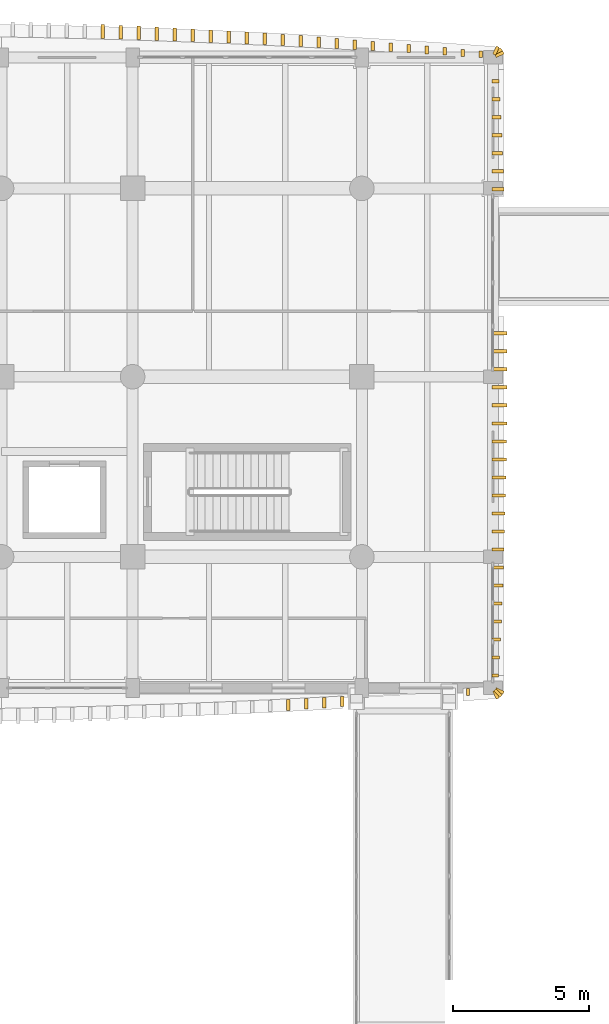
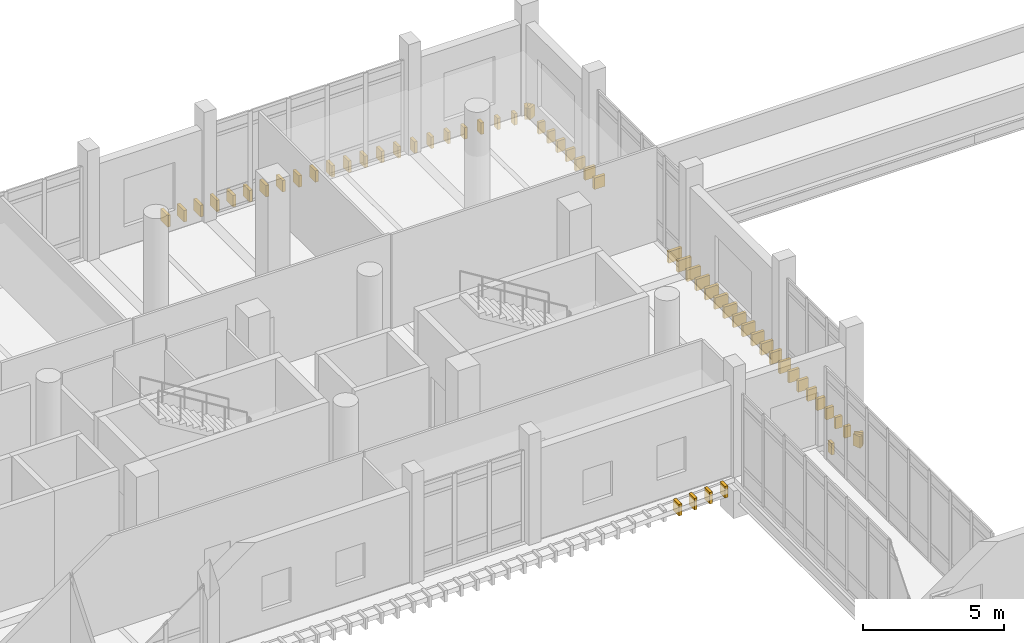
# One storey, part 97 of 101: 60 coverings.
"""IFC4 building model written with IfcOpenShell, lengths in metres."""

from ifc_helpers import new_model, si_unit, direction, frame, origin, origin_2d, place, context, subcontext, project, spatial, rectangle, extrude, material, layer, layer_set, type_object, element, save


model = new_model("IFC4")

# Units and contexts
model_context = context("Model", 3, precision=1e-05, world=origin(), true_north=direction((0.0, 1.0)))
body_context = subcontext(model_context, "Body", "Model", "MODEL_VIEW")
ifc_project = project(units=[si_unit("LENGTHUNIT", "METRE"), si_unit("AREAUNIT", "SQUARE_METRE"), si_unit("VOLUMEUNIT", "CUBIC_METRE"), si_unit("PLANEANGLEUNIT", "RADIAN"), si_unit("MASSUNIT", "GRAM", prefix="KILO")], contexts=[model_context])

# Site, building, storey
site_placement = place(None, origin())
site = spatial("IfcSite", under=ifc_project, at=site_placement, CompositionType="ELEMENT")
building_placement = place(site_placement, origin())
building = spatial("IfcBuilding", under=site, at=building_placement, Name="Dornvale Research Institute", CompositionType="ELEMENT")
storey_placement = place(building_placement, frame((0.0, 0.0, 10.199951171875)))
storey = spatial("IfcBuildingStorey", under=building, at=storey_placement, Name="L02", CompositionType="ELEMENT", Elevation=10.199951171875)

# Coverings
ifc_material = material(Name="Polychrome Glazed Terracotta Visor Rib Ceramic", Category="masonry")
ifc_layer = layer(ifc_material, 0.1201171875)
ifc_layer_set = layer_set([ifc_layer], Name="Polychrome Glazed Terracotta Visor Rib Ceramic")
covering_type = type_object("IfcCoveringType", Name="Covering_VisorBlade_Main", PredefinedType="CLADDING", material=ifc_layer_set)
covering_1_placement = place(storey_placement, frame((38.70263671875, 98.37646484375, -0.489990234375), z_axis=(0.0, 0.0, 1.0), x_axis=(0.0, 1.0, 0.0)))
element("IfcCovering", 1, at=covering_1_placement, inside=storey, type_object=covering_type, Name="L02 V5 canted glazed terracotta visor blade #264", PredefinedType="CLADDING", context=body_context, shape_type="SweptSolid", body=[
    extrude(rectangle(XDim=0.405029296875, YDim=0.1201171875, at=origin_2d()), origin(), (0.0, 0.0, 1.0), 0.5),
])
covering_2_placement = place(storey_placement, frame((39.36181640625, 98.415771484375, -0.489990234375), z_axis=(0.0, 0.0, 1.0), x_axis=(0.0, 1.0, 0.0)))
element("IfcCovering", 2, at=covering_2_placement, inside=storey, type_object=covering_type, Name="L02 V5 canted glazed terracotta visor blade #265", PredefinedType="CLADDING", context=body_context, shape_type="SweptSolid", body=[
    extrude(rectangle(XDim=0.39208984375, YDim=0.1201171875, at=origin_2d()), origin(), (0.0, 0.0, 1.0), 0.5),
])
covering_3_placement = place(storey_placement, frame((40.02099609375, 98.4580078125, -0.489990234375), z_axis=(0.0, 0.0, 1.0), x_axis=(0.0, 1.0, 0.0)))
element("IfcCovering", 3, at=covering_3_placement, inside=storey, type_object=covering_type, Name="L02 V5 canted glazed terracotta visor blade #266", PredefinedType="CLADDING", context=body_context, shape_type="SweptSolid", body=[
    extrude(rectangle(XDim=0.3779296875, YDim=0.1201171875, at=origin_2d()), origin(), (0.0, 0.0, 1.0), 0.5),
])
covering_4_placement = place(storey_placement, frame((40.679931640625, 98.501708984375, -0.489990234375), z_axis=(0.0, 0.0, 1.0), x_axis=(0.0, 1.0, 0.0)))
element("IfcCovering", 4, at=covering_4_placement, inside=storey, type_object=covering_type, Name="L02 V5 canted glazed terracotta visor blade #267", PredefinedType="CLADDING", context=body_context, shape_type="SweptSolid", body=[
    extrude(rectangle(XDim=0.363037109375, YDim=0.1201171875, at=origin_2d()), origin(), (0.0, 0.0, 1.0), 0.5),
])
covering_5_placement = place(storey_placement, frame((45.290771484375, 98.8525390625, -0.489990234375), z_axis=(0.0, 0.0, 1.0), x_axis=(0.0, 1.0, 0.0)))
element("IfcCovering", 5, at=covering_5_placement, inside=storey, type_object=covering_type, Name="L02 V5 canted glazed terracotta visor blade #268", PredefinedType="CLADDING", context=body_context, shape_type="SweptSolid", body=[
    extrude(rectangle(XDim=0.24609375, YDim=0.1201171875, at=origin_2d()), origin(), (0.0, 0.0, 1.0), 0.5),
])
covering_6_placement = place(storey_placement, frame((45.751220703125, 122.20849609375, -0.489990234375), z_axis=(0.0, 0.0, 1.0), x_axis=(0.0, 1.0, 0.0)))
element("IfcCovering", 6, at=covering_6_placement, inside=storey, type_object=covering_type, Name="L02 V5 canted glazed terracotta visor blade #269", PredefinedType="CLADDING", context=body_context, shape_type="SweptSolid", body=[
    extrude(rectangle(XDim=0.23291015625, YDim=0.1201171875, at=origin_2d()), origin(), (0.0, 0.0, 1.0), 0.5),
])
covering_7_placement = place(storey_placement, frame((45.0927734375, 122.2646484375, -0.489990234375), z_axis=(0.0, 0.0, 1.0), x_axis=(0.0, 1.0, 0.0)))
element("IfcCovering", 7, at=covering_7_placement, inside=storey, type_object=covering_type, Name="L02 V5 canted glazed terracotta visor blade #270", PredefinedType="CLADDING", context=body_context, shape_type="SweptSolid", body=[
    extrude(rectangle(XDim=0.251953125, YDim=0.1201171875, at=origin_2d()), origin(), (0.0, 0.0, 1.0), 0.5),
])
covering_8_placement = place(storey_placement, frame((44.434326171875, 122.319580078125, -0.489990234375), z_axis=(0.0, 0.0, 1.0), x_axis=(0.0, 1.0, 0.0)))
element("IfcCovering", 8, at=covering_8_placement, inside=storey, type_object=covering_type, Name="L02 V5 canted glazed terracotta visor blade #271", PredefinedType="CLADDING", context=body_context, shape_type="SweptSolid", body=[
    extrude(rectangle(XDim=0.27001953125, YDim=0.1201171875, at=origin_2d()), origin(), (0.0, 0.0, 1.0), 0.5),
])
covering_9_placement = place(storey_placement, frame((43.77587890625, 122.3720703125, -0.489990234375), z_axis=(0.0, 0.0, 1.0), x_axis=(0.0, 1.0, 0.0)))
element("IfcCovering", 9, at=covering_9_placement, inside=storey, type_object=covering_type, Name="L02 V5 canted glazed terracotta visor blade #272", PredefinedType="CLADDING", context=body_context, shape_type="SweptSolid", body=[
    extrude(rectangle(XDim=0.2880859375, YDim=0.1201171875, at=origin_2d()), origin(), (0.0, 0.0, 1.0), 0.5),
])
covering_10_placement = place(storey_placement, frame((43.1171875, 122.423583984375, -0.489990234375), z_axis=(0.0, 0.0, 1.0), x_axis=(0.0, 1.0, 0.0)))
element("IfcCovering", 10, at=covering_10_placement, inside=storey, type_object=covering_type, Name="L02 V5 canted glazed terracotta visor blade #273", PredefinedType="CLADDING", context=body_context, shape_type="SweptSolid", body=[
    extrude(rectangle(XDim=0.304931640625, YDim=0.1201171875, at=origin_2d()), origin(), (0.0, 0.0, 1.0), 0.5),
])
covering_11_placement = place(storey_placement, frame((42.45849609375, 122.47265625, -0.489990234375), z_axis=(0.0, 0.0, 1.0), x_axis=(0.0, 1.0, 0.0)))
element("IfcCovering", 11, at=covering_11_placement, inside=storey, type_object=covering_type, Name="L02 V5 canted glazed terracotta visor blade #274", PredefinedType="CLADDING", context=body_context, shape_type="SweptSolid", body=[
    extrude(rectangle(XDim=0.321044921875, YDim=0.1201171875, at=origin_2d()), origin(), (0.0, 0.0, 1.0), 0.5),
])
covering_12_placement = place(storey_placement, frame((41.7998046875, 122.5205078125, -0.489990234375), z_axis=(0.0, 0.0, 1.0), x_axis=(0.0, 1.0, 0.0)))
element("IfcCovering", 12, at=covering_12_placement, inside=storey, type_object=covering_type, Name="L02 V5 canted glazed terracotta visor blade #275", PredefinedType="CLADDING", context=body_context, shape_type="SweptSolid", body=[
    extrude(rectangle(XDim=0.3369140625, YDim=0.1201171875, at=origin_2d()), origin(), (0.0, 0.0, 1.0), 0.5),
])
covering_13_placement = place(storey_placement, frame((41.140869140625, 122.56787109375, -0.489990234375), z_axis=(0.0, 0.0, 1.0), x_axis=(0.0, 1.0, 0.0)))
element("IfcCovering", 13, at=covering_13_placement, inside=storey, type_object=covering_type, Name="L02 V5 canted glazed terracotta visor blade #276", PredefinedType="CLADDING", context=body_context, shape_type="SweptSolid", body=[
    extrude(rectangle(XDim=0.35302734375, YDim=0.1201171875, at=origin_2d()), origin(), (0.0, 0.0, 1.0), 0.5),
])
covering_14_placement = place(storey_placement, frame((40.48193359375, 122.61181640625, -0.489990234375), z_axis=(0.0, 0.0, 1.0), x_axis=(0.0, 1.0, 0.0)))
element("IfcCovering", 14, at=covering_14_placement, inside=storey, type_object=covering_type, Name="L02 V5 canted glazed terracotta visor blade #277", PredefinedType="CLADDING", context=body_context, shape_type="SweptSolid", body=[
    extrude(rectangle(XDim=0.367919921875, YDim=0.1201171875, at=origin_2d()), origin(), (0.0, 0.0, 1.0), 0.5),
])
covering_15_placement = place(storey_placement, frame((39.822998046875, 122.655029296875, -0.489990234375), z_axis=(0.0, 0.0, 1.0), x_axis=(0.0, 1.0, 0.0)))
element("IfcCovering", 15, at=covering_15_placement, inside=storey, type_object=covering_type, Name="L02 V5 canted glazed terracotta visor blade #278", PredefinedType="CLADDING", context=body_context, shape_type="SweptSolid", body=[
    extrude(rectangle(XDim=0.382080078125, YDim=0.1201171875, at=origin_2d()), origin(), (0.0, 0.0, 1.0), 0.5),
])
covering_16_placement = place(storey_placement, frame((39.163818359375, 122.696044921875, -0.489990234375), z_axis=(0.0, 0.0, 1.0), x_axis=(0.0, 1.0, 0.0)))
element("IfcCovering", 16, at=covering_16_placement, inside=storey, type_object=covering_type, Name="L02 V5 canted glazed terracotta visor blade #279", PredefinedType="CLADDING", context=body_context, shape_type="SweptSolid", body=[
    extrude(rectangle(XDim=0.39599609375, YDim=0.1201171875, at=origin_2d()), origin(), (0.0, 0.0, 1.0), 0.5),
])
covering_17_placement = place(storey_placement, frame((38.504638671875, 122.735595703125, -0.489990234375), z_axis=(0.0, 0.0, 1.0), x_axis=(0.0, 1.0, 0.0)))
element("IfcCovering", 17, at=covering_17_placement, inside=storey, type_object=covering_type, Name="L02 V5 canted glazed terracotta visor blade #280", PredefinedType="CLADDING", context=body_context, shape_type="SweptSolid", body=[
    extrude(rectangle(XDim=0.408935546875, YDim=0.1201171875, at=origin_2d()), origin(), (0.0, 0.0, 1.0), 0.5),
])
covering_18_placement = place(storey_placement, frame((37.845458984375, 122.7744140625, -0.489990234375), z_axis=(0.0, 0.0, 1.0), x_axis=(0.0, 1.0, 0.0)))
element("IfcCovering", 18, at=covering_18_placement, inside=storey, type_object=covering_type, Name="L02 V5 canted glazed terracotta visor blade #281", PredefinedType="CLADDING", context=body_context, shape_type="SweptSolid", body=[
    extrude(rectangle(XDim=0.422119140625, YDim=0.1201171875, at=origin_2d()), origin(), (0.0, 0.0, 1.0), 0.5),
])
covering_19_placement = place(storey_placement, frame((37.18603515625, 122.809814453125, -0.489990234375), z_axis=(0.0, 0.0, 1.0), x_axis=(0.0, 1.0, 0.0)))
element("IfcCovering", 19, at=covering_19_placement, inside=storey, type_object=covering_type, Name="L02 V5 canted glazed terracotta visor blade #282", PredefinedType="CLADDING", context=body_context, shape_type="SweptSolid", body=[
    extrude(rectangle(XDim=0.43408203125, YDim=0.1201171875, at=origin_2d()), origin(), (0.0, 0.0, 1.0), 0.5),
])
covering_20_placement = place(storey_placement, frame((36.526611328125, 122.8447265625, -0.489990234375), z_axis=(0.0, 0.0, 1.0), x_axis=(0.0, 1.0, 0.0)))
element("IfcCovering", 20, at=covering_20_placement, inside=storey, type_object=covering_type, Name="L02 V5 canted glazed terracotta visor blade #283", PredefinedType="CLADDING", context=body_context, shape_type="SweptSolid", body=[
    extrude(rectangle(XDim=0.445068359375, YDim=0.1201171875, at=origin_2d()), origin(), (0.0, 0.0, 1.0), 0.5),
])
covering_21_placement = place(storey_placement, frame((35.8671875, 122.87744140625, -0.489990234375), z_axis=(0.0, 0.0, 1.0), x_axis=(0.0, 1.0, 0.0)))
element("IfcCovering", 21, at=covering_21_placement, inside=storey, type_object=covering_type, Name="L02 V5 canted glazed terracotta visor blade #284", PredefinedType="CLADDING", context=body_context, shape_type="SweptSolid", body=[
    extrude(rectangle(XDim=0.4560546875, YDim=0.1201171875, at=origin_2d()), origin(), (0.0, 0.0, 1.0), 0.5),
])
covering_22_placement = place(storey_placement, frame((35.207763671875, 122.908935546875, -0.489990234375), z_axis=(0.0, 0.0, 1.0), x_axis=(0.0, 1.0, 0.0)))
element("IfcCovering", 22, at=covering_22_placement, inside=storey, type_object=covering_type, Name="L02 V5 canted glazed terracotta visor blade #285", PredefinedType="CLADDING", context=body_context, shape_type="SweptSolid", body=[
    extrude(rectangle(XDim=0.467041015625, YDim=0.1201171875, at=origin_2d()), origin(), (0.0, 0.0, 1.0), 0.5),
])
covering_23_placement = place(storey_placement, frame((34.54833984375, 122.939453125, -0.489990234375), z_axis=(0.0, 0.0, 1.0), x_axis=(0.0, 1.0, 0.0)))
element("IfcCovering", 23, at=covering_23_placement, inside=storey, type_object=covering_type, Name="L02 V5 canted glazed terracotta visor blade #286", PredefinedType="CLADDING", context=body_context, shape_type="SweptSolid", body=[
    extrude(rectangle(XDim=0.47705078125, YDim=0.1201171875, at=origin_2d()), origin(), (0.0, 0.0, 1.0), 0.5),
])
covering_24_placement = place(storey_placement, frame((33.888671875, 122.966552734375, -0.489990234375), z_axis=(0.0, 0.0, 1.0), x_axis=(0.0, 1.0, 0.0)))
element("IfcCovering", 24, at=covering_24_placement, inside=storey, type_object=covering_type, Name="L02 V5 canted glazed terracotta visor blade #287", PredefinedType="CLADDING", context=body_context, shape_type="SweptSolid", body=[
    extrude(rectangle(XDim=0.486083984375, YDim=0.1201171875, at=origin_2d()), origin(), (0.0, 0.0, 1.0), 0.5),
])
covering_25_placement = place(storey_placement, frame((33.22900390625, 122.99365234375, -0.489990234375), z_axis=(0.0, 0.0, 1.0), x_axis=(0.0, 1.0, 0.0)))
element("IfcCovering", 25, at=covering_25_placement, inside=storey, type_object=covering_type, Name="L02 V5 canted glazed terracotta visor blade #288", PredefinedType="CLADDING", context=body_context, shape_type="SweptSolid", body=[
    extrude(rectangle(XDim=0.4951171875, YDim=0.1201171875, at=origin_2d()), origin(), (0.0, 0.0, 1.0), 0.5),
])
covering_26_placement = place(storey_placement, frame((32.5693359375, 123.017822265625, -0.489990234375), z_axis=(0.0, 0.0, 1.0), x_axis=(0.0, 1.0, 0.0)))
element("IfcCovering", 26, at=covering_26_placement, inside=storey, type_object=covering_type, Name="L02 V5 canted glazed terracotta visor blade #289", PredefinedType="CLADDING", context=body_context, shape_type="SweptSolid", body=[
    extrude(rectangle(XDim=0.5029296875, YDim=0.1201171875, at=origin_2d()), origin(), (0.0, 0.0, 1.0), 0.5),
])
covering_27_placement = place(storey_placement, frame((31.90966796875, 123.041015625, -0.489990234375), z_axis=(0.0, 0.0, 1.0), x_axis=(0.0, 1.0, 0.0)))
element("IfcCovering", 27, at=covering_27_placement, inside=storey, type_object=covering_type, Name="L02 V5 canted glazed terracotta visor blade #290", PredefinedType="CLADDING", context=body_context, shape_type="SweptSolid", body=[
    extrude(rectangle(XDim=0.510986328125, YDim=0.1201171875, at=origin_2d()), origin(), (0.0, 0.0, 1.0), 0.5),
])
covering_28_placement = place(storey_placement, frame((46.282958984375, 99.449951171875, -0.489990234375), z_axis=(0.0, 0.0, 1.0), x_axis=(1.0, 0.0, 0.0)))
element("IfcCovering", 28, at=covering_28_placement, inside=storey, type_object=covering_type, Name="L02 V5 canted glazed terracotta visor blade #338", PredefinedType="CLADDING", context=body_context, shape_type="SweptSolid", body=[
    extrude(rectangle(XDim=0.24609375, YDim=0.1201171875, at=origin_2d()), origin(), (0.0, 0.0, 1.0), 0.5),
])
covering_29_placement = place(storey_placement, frame((46.301025390625, 100.110107421875, -0.489990234375), z_axis=(0.0, 0.0, 1.0), x_axis=(1.0, 0.0, 0.0)))
element("IfcCovering", 29, at=covering_29_placement, inside=storey, type_object=covering_type, Name="L02 V5 canted glazed terracotta visor blade #339", PredefinedType="CLADDING", context=body_context, shape_type="SweptSolid", body=[
    extrude(rectangle(XDim=0.281982421875, YDim=0.1201171875, at=origin_2d()), origin(), (0.0, 0.0, 1.0), 0.5),
])
covering_30_placement = place(storey_placement, frame((46.318115234375, 100.77001953125, -0.489990234375), z_axis=(0.0, 0.0, 1.0), x_axis=(1.0, 0.0, 0.0)))
element("IfcCovering", 30, at=covering_30_placement, inside=storey, type_object=covering_type, Name="L02 V5 canted glazed terracotta visor blade #340", PredefinedType="CLADDING", context=body_context, shape_type="SweptSolid", body=[
    extrude(rectangle(XDim=0.31591796875, YDim=0.1201171875, at=origin_2d()), origin(), (0.0, 0.0, 1.0), 0.5),
])
covering_31_placement = place(storey_placement, frame((46.333984375, 101.429931640625, -0.489990234375), z_axis=(0.0, 0.0, 1.0), x_axis=(1.0, 0.0, 0.0)))
element("IfcCovering", 31, at=covering_31_placement, inside=storey, type_object=covering_type, Name="L02 V5 canted glazed terracotta visor blade #341", PredefinedType="CLADDING", context=body_context, shape_type="SweptSolid", body=[
    extrude(rectangle(XDim=0.347900390625, YDim=0.1201171875, at=origin_2d()), origin(), (0.0, 0.0, 1.0), 0.5),
])
covering_32_placement = place(storey_placement, frame((46.34912109375, 102.090087890625, -0.489990234375), z_axis=(0.0, 0.0, 1.0), x_axis=(1.0, 0.0, 0.0)))
element("IfcCovering", 32, at=covering_32_placement, inside=storey, type_object=covering_type, Name="L02 V5 canted glazed terracotta visor blade #342", PredefinedType="CLADDING", context=body_context, shape_type="SweptSolid", body=[
    extrude(rectangle(XDim=0.3779296875, YDim=0.1201171875, at=origin_2d()), origin(), (0.0, 0.0, 1.0), 0.5),
])
covering_33_placement = place(storey_placement, frame((46.362548828125, 102.75, -0.489990234375), z_axis=(0.0, 0.0, 1.0), x_axis=(1.0, 0.0, 0.0)))
element("IfcCovering", 33, at=covering_33_placement, inside=storey, type_object=covering_type, Name="L02 V5 canted glazed terracotta visor blade #343", PredefinedType="CLADDING", context=body_context, shape_type="SweptSolid", body=[
    extrude(rectangle(XDim=0.405029296875, YDim=0.1201171875, at=origin_2d()), origin(), (0.0, 0.0, 1.0), 0.5),
])
covering_34_placement = place(storey_placement, frame((46.375, 103.409912109375, -0.489990234375), z_axis=(0.0, 0.0, 1.0), x_axis=(1.0, 0.0, 0.0)))
element("IfcCovering", 34, at=covering_34_placement, inside=storey, type_object=covering_type, Name="L02 V5 canted glazed terracotta visor blade #344", PredefinedType="CLADDING", context=body_context, shape_type="SweptSolid", body=[
    extrude(rectangle(XDim=0.429931640625, YDim=0.1201171875, at=origin_2d()), origin(), (0.0, 0.0, 1.0), 0.5),
])
covering_35_placement = place(storey_placement, frame((46.386474609375, 104.070068359375, -0.489990234375), z_axis=(0.0, 0.0, 1.0), x_axis=(1.0, 0.0, 0.0)))
element("IfcCovering", 35, at=covering_35_placement, inside=storey, type_object=covering_type, Name="L02 V5 canted glazed terracotta visor blade #345", PredefinedType="CLADDING", context=body_context, shape_type="SweptSolid", body=[
    extrude(rectangle(XDim=0.452880859375, YDim=0.1201171875, at=origin_2d()), origin(), (0.0, 0.0, 1.0), 0.5),
])
covering_36_placement = place(storey_placement, frame((46.39697265625, 104.72998046875, -0.489990234375), z_axis=(0.0, 0.0, 1.0), x_axis=(1.0, 0.0, 0.0)))
element("IfcCovering", 36, at=covering_36_placement, inside=storey, type_object=covering_type, Name="L02 V5 canted glazed terracotta visor blade #346", PredefinedType="CLADDING", context=body_context, shape_type="SweptSolid", body=[
    extrude(rectangle(XDim=0.47412109375, YDim=0.1201171875, at=origin_2d()), origin(), (0.0, 0.0, 1.0), 0.5),
])
covering_37_placement = place(storey_placement, frame((46.406005859375, 105.389892578125, -0.489990234375), z_axis=(0.0, 0.0, 1.0), x_axis=(1.0, 0.0, 0.0)))
element("IfcCovering", 37, at=covering_37_placement, inside=storey, type_object=covering_type, Name="L02 V5 canted glazed terracotta visor blade #347", PredefinedType="CLADDING", context=body_context, shape_type="SweptSolid", body=[
    extrude(rectangle(XDim=0.491943359375, YDim=0.1201171875, at=origin_2d()), origin(), (0.0, 0.0, 1.0), 0.5),
])
covering_38_placement = place(storey_placement, frame((46.4140625, 106.050048828125, -0.489990234375), z_axis=(0.0, 0.0, 1.0), x_axis=(1.0, 0.0, 0.0)))
element("IfcCovering", 38, at=covering_38_placement, inside=storey, type_object=covering_type, Name="L02 V5 canted glazed terracotta visor blade #348", PredefinedType="CLADDING", context=body_context, shape_type="SweptSolid", body=[
    extrude(rectangle(XDim=0.508056640625, YDim=0.1201171875, at=origin_2d()), origin(), (0.0, 0.0, 1.0), 0.5),
])
covering_39_placement = place(storey_placement, frame((46.4208984375, 106.7099609375, -0.489990234375), z_axis=(0.0, 0.0, 1.0), x_axis=(1.0, 0.0, 0.0)))
element("IfcCovering", 39, at=covering_39_placement, inside=storey, type_object=covering_type, Name="L02 V5 canted glazed terracotta visor blade #349", PredefinedType="CLADDING", context=body_context, shape_type="SweptSolid", body=[
    extrude(rectangle(XDim=0.52197265625, YDim=0.1201171875, at=origin_2d()), origin(), (0.0, 0.0, 1.0), 0.5),
])
covering_40_placement = place(storey_placement, frame((46.427001953125, 107.3701171875, -0.489990234375), z_axis=(0.0, 0.0, 1.0), x_axis=(1.0, 0.0, 0.0)))
element("IfcCovering", 40, at=covering_40_placement, inside=storey, type_object=covering_type, Name="L02 V5 canted glazed terracotta visor blade #350", PredefinedType="CLADDING", context=body_context, shape_type="SweptSolid", body=[
    extrude(rectangle(XDim=0.533935546875, YDim=0.1201171875, at=origin_2d()), origin(), (0.0, 0.0, 1.0), 0.5),
])
covering_41_placement = place(storey_placement, frame((46.431884765625, 108.030029296875, -0.489990234375), z_axis=(0.0, 0.0, 1.0), x_axis=(1.0, 0.0, 0.0)))
element("IfcCovering", 41, at=covering_41_placement, inside=storey, type_object=covering_type, Name="L02 V5 canted glazed terracotta visor blade #351", PredefinedType="CLADDING", context=body_context, shape_type="SweptSolid", body=[
    extrude(rectangle(XDim=0.5439453125, YDim=0.1201171875, at=origin_2d()), origin(), (0.0, 0.0, 1.0), 0.5),
])
covering_42_placement = place(storey_placement, frame((46.435546875, 108.68994140625, -0.489990234375), z_axis=(0.0, 0.0, 1.0), x_axis=(1.0, 0.0, 0.0)))
element("IfcCovering", 42, at=covering_42_placement, inside=storey, type_object=covering_type, Name="L02 V5 canted glazed terracotta visor blade #352", PredefinedType="CLADDING", context=body_context, shape_type="SweptSolid", body=[
    extrude(rectangle(XDim=0.551025390625, YDim=0.1201171875, at=origin_2d()), origin(), (0.0, 0.0, 1.0), 0.5),
])
covering_43_placement = place(storey_placement, frame((46.43798828125, 109.35009765625, -0.489990234375), z_axis=(0.0, 0.0, 1.0), x_axis=(1.0, 0.0, 0.0)))
element("IfcCovering", 43, at=covering_43_placement, inside=storey, type_object=covering_type, Name="L02 V5 canted glazed terracotta visor blade #353", PredefinedType="CLADDING", context=body_context, shape_type="SweptSolid", body=[
    extrude(rectangle(XDim=0.555908203125, YDim=0.1201171875, at=origin_2d()), origin(), (0.0, 0.0, 1.0), 0.5),
])
covering_44_placement = place(storey_placement, frame((46.439453125, 110.010009765625, -0.489990234375), z_axis=(0.0, 0.0, 1.0), x_axis=(1.0, 0.0, 0.0)))
element("IfcCovering", 44, at=covering_44_placement, inside=storey, type_object=covering_type, Name="L02 V5 canted glazed terracotta visor blade #354", PredefinedType="CLADDING", context=body_context, shape_type="SweptSolid", body=[
    extrude(rectangle(XDim=0.55908203125, YDim=0.1201171875, at=origin_2d()), origin(), (0.0, 0.0, 1.0), 0.5),
])
covering_45_placement = place(storey_placement, frame((46.43994140625, 110.669921875, -0.489990234375), z_axis=(0.0, 0.0, 1.0), x_axis=(1.0, 0.0, 0.0)))
element("IfcCovering", 45, at=covering_45_placement, inside=storey, type_object=covering_type, Name="L02 V5 canted glazed terracotta visor blade #355", PredefinedType="CLADDING", context=body_context, shape_type="SweptSolid", body=[
    extrude(rectangle(XDim=0.56005859375, YDim=0.1201171875, at=origin_2d()), origin(), (0.0, 0.0, 1.0), 0.5),
])
covering_46_placement = place(storey_placement, frame((46.43896484375, 111.330078125, -0.489990234375), z_axis=(0.0, 0.0, 1.0), x_axis=(1.0, 0.0, 0.0)))
element("IfcCovering", 46, at=covering_46_placement, inside=storey, type_object=covering_type, Name="L02 V5 canted glazed terracotta visor blade #356", PredefinedType="CLADDING", context=body_context, shape_type="SweptSolid", body=[
    extrude(rectangle(XDim=0.55810546875, YDim=0.1201171875, at=origin_2d()), origin(), (0.0, 0.0, 1.0), 0.5),
])
covering_47_placement = place(storey_placement, frame((46.4375, 111.989990234375, -0.489990234375), z_axis=(0.0, 0.0, 1.0), x_axis=(1.0, 0.0, 0.0)))
element("IfcCovering", 47, at=covering_47_placement, inside=storey, type_object=covering_type, Name="L02 V5 canted glazed terracotta visor blade #357", PredefinedType="CLADDING", context=body_context, shape_type="SweptSolid", body=[
    extrude(rectangle(XDim=0.554931640625, YDim=0.1201171875, at=origin_2d()), origin(), (0.0, 0.0, 1.0), 0.5),
])
covering_48_placement = place(storey_placement, frame((46.382568359375, 117.27001953125, -0.489990234375), z_axis=(0.0, 0.0, 1.0), x_axis=(1.0, 0.0, 0.0)))
element("IfcCovering", 48, at=covering_48_placement, inside=storey, type_object=covering_type, Name="L02 V5 canted glazed terracotta visor blade #358", PredefinedType="CLADDING", context=body_context, shape_type="SweptSolid", body=[
    extrude(rectangle(XDim=0.445068359375, YDim=0.1201171875, at=origin_2d()), origin(), (0.0, 0.0, 1.0), 0.5),
])
covering_49_placement = place(storey_placement, frame((46.37060546875, 117.929931640625, -0.489990234375), z_axis=(0.0, 0.0, 1.0), x_axis=(1.0, 0.0, 0.0)))
element("IfcCovering", 49, at=covering_49_placement, inside=storey, type_object=covering_type, Name="L02 V5 canted glazed terracotta visor blade #359", PredefinedType="CLADDING", context=body_context, shape_type="SweptSolid", body=[
    extrude(rectangle(XDim=0.4208984375, YDim=0.1201171875, at=origin_2d()), origin(), (0.0, 0.0, 1.0), 0.5),
])
covering_50_placement = place(storey_placement, frame((46.357421875, 118.590087890625, -0.489990234375), z_axis=(0.0, 0.0, 1.0), x_axis=(1.0, 0.0, 0.0)))
element("IfcCovering", 50, at=covering_50_placement, inside=storey, type_object=covering_type, Name="L02 V5 canted glazed terracotta visor blade #360", PredefinedType="CLADDING", context=body_context, shape_type="SweptSolid", body=[
    extrude(rectangle(XDim=0.39501953125, YDim=0.1201171875, at=origin_2d()), origin(), (0.0, 0.0, 1.0), 0.5),
])
covering_51_placement = place(storey_placement, frame((46.343505859375, 119.25, -0.489990234375), z_axis=(0.0, 0.0, 1.0), x_axis=(1.0, 0.0, 0.0)))
element("IfcCovering", 51, at=covering_51_placement, inside=storey, type_object=covering_type, Name="L02 V5 canted glazed terracotta visor blade #361", PredefinedType="CLADDING", context=body_context, shape_type="SweptSolid", body=[
    extrude(rectangle(XDim=0.366943359375, YDim=0.1201171875, at=origin_2d()), origin(), (0.0, 0.0, 1.0), 0.5),
])
covering_52_placement = place(storey_placement, frame((46.32861328125, 119.909912109375, -0.489990234375), z_axis=(0.0, 0.0, 1.0), x_axis=(1.0, 0.0, 0.0)))
element("IfcCovering", 52, at=covering_52_placement, inside=storey, type_object=covering_type, Name="L02 V5 canted glazed terracotta visor blade #362", PredefinedType="CLADDING", context=body_context, shape_type="SweptSolid", body=[
    extrude(rectangle(XDim=0.3369140625, YDim=0.1201171875, at=origin_2d()), origin(), (0.0, 0.0, 1.0), 0.5),
])
covering_53_placement = place(storey_placement, frame((46.31201171875, 120.570068359375, -0.489990234375), z_axis=(0.0, 0.0, 1.0), x_axis=(1.0, 0.0, 0.0)))
element("IfcCovering", 53, at=covering_53_placement, inside=storey, type_object=covering_type, Name="L02 V5 canted glazed terracotta visor blade #363", PredefinedType="CLADDING", context=body_context, shape_type="SweptSolid", body=[
    extrude(rectangle(XDim=0.303955078125, YDim=0.1201171875, at=origin_2d()), origin(), (0.0, 0.0, 1.0), 0.5),
])
covering_54_placement = place(storey_placement, frame((46.29443359375, 121.22998046875, -0.489990234375), z_axis=(0.0, 0.0, 1.0), x_axis=(1.0, 0.0, 0.0)))
element("IfcCovering", 54, at=covering_54_placement, inside=storey, type_object=covering_type, Name="L02 V5 canted glazed terracotta visor blade #364", PredefinedType="CLADDING", context=body_context, shape_type="SweptSolid", body=[
    extrude(rectangle(XDim=0.26904296875, YDim=0.1201171875, at=origin_2d()), origin(), (0.0, 0.0, 1.0), 0.5),
])
for number, where, z_axis, x_axis, name in (
    (55, (46.314208984375, 98.75537109375, -0.489990234375), (0.0, 0.0, 1.0), (0.422618261741, -0.906307787037, 0.0), "L02 V5 corner-wrapping visor blade #402"),
    (56, (46.390869140625, 98.80908203125, -0.489990234375), (0.0, 0.0, 1.0), (0.707106781187, -0.707106781187, 0.0), "L02 V5 corner-wrapping visor blade #403"),
    (57, (46.444580078125, 98.885986328125, -0.489990234375), (0.0, 0.0, 1.0), (0.906307787037, -0.422618261741, 0.0), "L02 V5 corner-wrapping visor blade #404"),
    (58, (46.444580078125, 122.214111328125, -0.489990234375), (0.0, 0.0, 1.0), (0.906307787037, 0.422618261741, 0.0), "L02 V5 corner-wrapping visor blade #405"),
    (59, (46.390869140625, 122.291015625, -0.489990234375), (0.0, 0.0, 1.0), (0.707106781187, 0.707106781187, 0.0), "L02 V5 corner-wrapping visor blade #406"),
    (60, (46.314208984375, 122.3447265625, -0.489990234375), (0.0, 0.0, 1.0), (0.422618261741, 0.906307787037, 0.0), "L02 V5 corner-wrapping visor blade #407"),
):
    element("IfcCovering", number, at=place(storey_placement, frame(where, z_axis=z_axis, x_axis=x_axis)), inside=storey, type_object=covering_type, Name=name, PredefinedType="CLADDING", context=body_context, shape_type="SweptSolid", body=[
        extrude(rectangle(XDim=0.320068359375, YDim=0.1201171875, at=origin_2d()), origin(), (0.0, 0.0, 1.0), 0.5),
    ])

save(model, "model.ifc")
